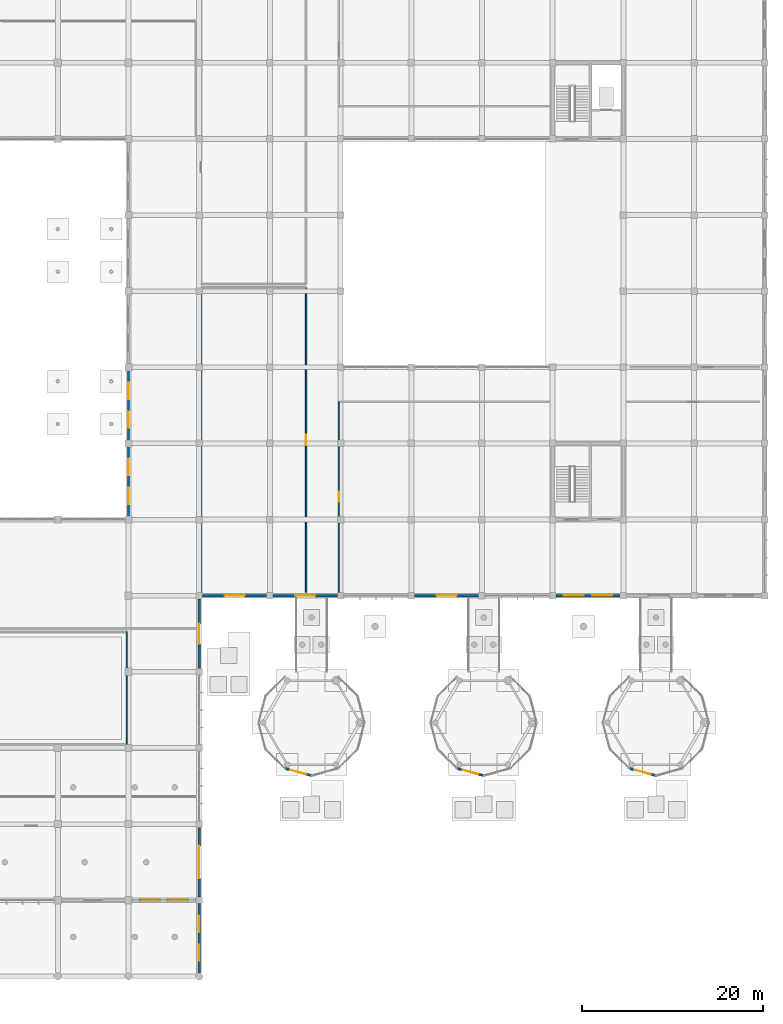
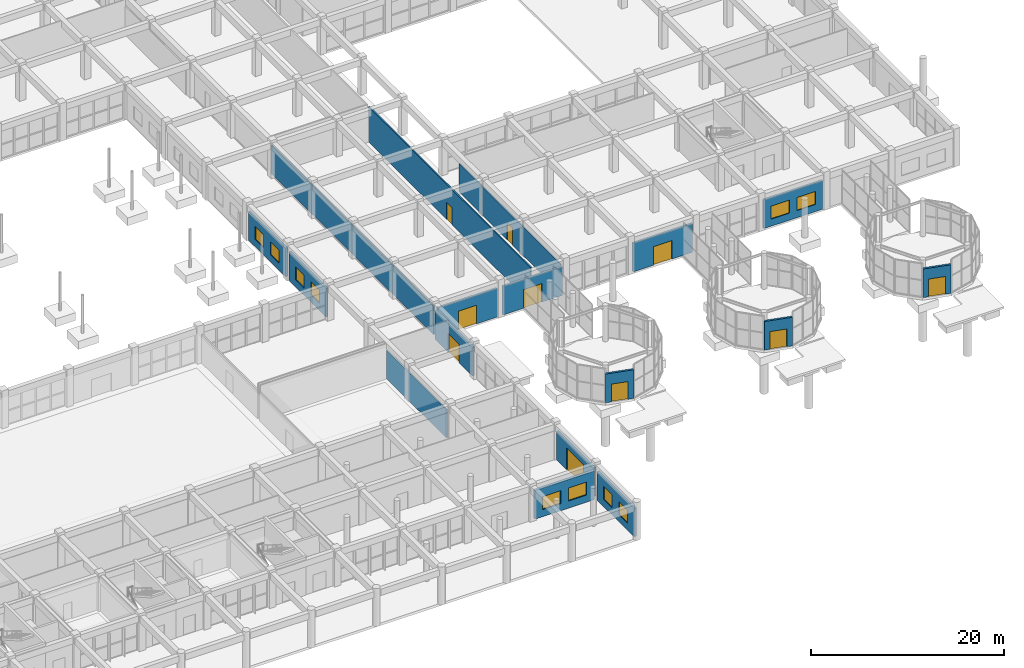
# One storey, part 128 of 139: 17 walls, 10 doors, 10 windows, 20 openings.
"""IFC4 building model written with IfcOpenShell, lengths in metres."""

import ifcopenshell
import ifcopenshell.guid

model = None  # the IFC model being written
_history = None  # IfcOwnerHistory: only IFC2X3 demands one
_inside = {}  # id of a spatial element -> (the spatial element, [elements in it])
_under = {}  # id of a project, library or spatial element -> (it, [spatial elements below it])
_declared = {}  # id of a project -> (the project, [libraries it declares])
_typed = {}  # id of a type object -> (the type object, [elements of that type])
_made_of = {}  # id of a material, layer set ... -> (it, [elements and type objects made of it])


def new_model(schema):
    """Start an empty IFC model of exactly this schema.

    Asked for "IFC4X3", IfcOpenShell would pick the latest addendum, in which some entities
    have other attributes; the version numbers below select the first issue.
    IFC2X3 requires an IfcOwnerHistory on every rooted entity: one is made here for all.
    """
    global model, _history
    if schema == "IFC4X3":
        model = ifcopenshell.file(schema_version=(4, 3, 0, 0))
    else:
        model = ifcopenshell.file(schema=schema)
    _inside.clear()
    _under.clear()
    _declared.clear()
    _typed.clear()
    _made_of.clear()
    _history = None
    if model.schema == "IFC2X3":
        org = make("IfcOrganization", Name="unknown")
        user = make(
            "IfcPersonAndOrganization",
            ThePerson=make("IfcPerson", FamilyName="unknown"),
            TheOrganization=org,
        )
        app = make(
            "IfcApplication",
            ApplicationDeveloper=org,
            Version="unknown",
            ApplicationFullName="unknown",
            ApplicationIdentifier="unknown",
        )
        _history = make(
            "IfcOwnerHistory",
            OwningUser=user,
            OwningApplication=app,
            ChangeAction="ADDED",
            CreationDate=0,
        )
    return model


def make(cls, **values):
    """One entity of the class cls with the attributes given. An attribute that is None is left unset."""
    return model.create_entity(
        cls, **{name: value for name, value in values.items() if value is not None}
    )


def rooted(cls, **values):
    """An entity with a GlobalId (a new one), such as an element, a storey or a relation."""
    return make(cls, GlobalId=ifcopenshell.guid.new(), OwnerHistory=_history, **values)


def si_unit(unit_type, name, prefix=None):
    """IfcSIUnit, for example si_unit("LENGTHUNIT", "METRE", prefix="MILLI")."""
    return make("IfcSIUnit", UnitType=unit_type, Prefix=prefix, Name=name)


def assignment(units):
    """IfcUnitAssignment: the units of a project."""
    return None if units is None else make("IfcUnitAssignment", Units=units)


def point(xyz):
    """IfcCartesianPoint."""
    return None if xyz is None else make("IfcCartesianPoint", Coordinates=xyz)


def direction(xyz):
    """IfcDirection."""
    return None if xyz is None else make("IfcDirection", DirectionRatios=xyz)


def frame(location, z_axis=None, x_axis=None):
    """IfcAxis2Placement3D, a coordinate frame: its origin and axes. An axis left out is left unset."""
    return make(
        "IfcAxis2Placement3D",
        Location=point(location),
        Axis=direction(z_axis),
        RefDirection=direction(x_axis),
    )


def frame_2d(location, x_axis=None):
    """IfcAxis2Placement2D, a coordinate frame in the plane: its origin and x axis."""
    return make(
        "IfcAxis2Placement2D", Location=point(location), RefDirection=direction(x_axis)
    )


def origin():
    """The frame at (0, 0, 0) with its axes left unset."""
    return frame((0.0, 0.0, 0.0))


def place(relative_to, where):
    """IfcLocalPlacement: puts the frame where relative to a parent placement (None: the world)."""
    return make(
        "IfcLocalPlacement", PlacementRelTo=relative_to, RelativePlacement=where
    )


def context(
    kind, dimensions, precision=None, world=None, true_north=None, identifier=None
):
    """IfcGeometricRepresentationContext, for example the 3D "Model" context."""
    return make(
        "IfcGeometricRepresentationContext",
        ContextIdentifier=identifier,
        ContextType=kind,
        CoordinateSpaceDimension=dimensions,
        Precision=precision,
        WorldCoordinateSystem=world,
        TrueNorth=true_north,
    )


def subcontext(parent, identifier, kind, view, scale=None):
    """IfcGeometricRepresentationSubContext, for example "Body" below "Model"."""
    return make(
        "IfcGeometricRepresentationSubContext",
        ContextIdentifier=identifier,
        ContextType=kind,
        ParentContext=parent,
        TargetScale=scale,
        TargetView=view,
    )


def project(units=None, contexts=None):
    """IfcProject with its units and contexts."""
    return rooted(
        "IfcProject",
        Name="project",
        RepresentationContexts=contexts,
        UnitsInContext=assignment(units),
    )


def spatial(cls, under=None, at=None, **own):
    """A site, building, storey or space (cls), placed at a placement, below another one or the project."""
    s = rooted(cls, ObjectPlacement=at, **own)
    if under is not None:
        _under.setdefault(under.id(), (under, []))[1].append(s)
    return s


def profile(cls, at=None, kind="AREA", **sizes):
    """A parametric profile (cls). Its sizes go by their IFC names, for example OverallWidth=200.0."""
    return make(cls, ProfileType=kind, Position=at, **sizes)


def rectangle(**sizes):
    """IfcRectangleProfileDef."""
    return profile("IfcRectangleProfileDef", **sizes)


def extrude(swept, where, along, depth):
    """IfcExtrudedAreaSolid: the profile swept, set in the frame where, extruded along a direction by depth."""
    return make(
        "IfcExtrudedAreaSolid",
        SweptArea=swept,
        Position=where,
        ExtrudedDirection=direction(along),
        Depth=depth,
    )


def shape(context_of_items, identifier, shape_type, items):
    """IfcShapeRepresentation: the items that make up one representation, for example the "Body"."""
    return make(
        "IfcShapeRepresentation",
        ContextOfItems=context_of_items,
        RepresentationIdentifier=identifier,
        RepresentationType=shape_type,
        Items=items,
    )


def material(Name=None, Category=None):
    """IfcMaterial."""
    return make("IfcMaterial", Name=Name, Category=Category)


def layer(
    of_material, thickness, ventilated=None, Name=None, Category=None, Priority=None
):
    """IfcMaterialLayer: one layer of a wall or slab, of a material (None: an air gap)."""
    return make(
        "IfcMaterialLayer",
        Material=of_material,
        LayerThickness=thickness,
        IsVentilated=ventilated,
        Name=Name,
        Category=Category,
        Priority=Priority,
    )


def layer_set(layers, Name=None):
    """IfcMaterialLayerSet."""
    return make("IfcMaterialLayerSet", MaterialLayers=layers, LayerSetName=Name)


def made_of(thing, what):
    """Note that an element or type object is made of a material, layer set ...; save() writes the relation."""
    if what is not None:
        _made_of.setdefault(what.id(), (what, []))[1].append(thing)
    return thing


def type_object(cls, material=None, **own):
    """A type object (cls), such as IfcWallType, which elements share."""
    return made_of(rooted(cls, **own), material)


def element(
    cls,
    number,
    at=None,
    inside=None,
    cuts=None,
    type_object=None,
    material=None,
    context=None,
    identifier="Body",
    shape_type=None,
    held_by="IfcProductDefinitionShape",
    body=None,
    shapes=None,
    **own,
):
    """One element of the class cls, such as IfcWall. Its Tag is "e" and its number.

    at: its placement. inside: the storey or other place that contains it. cuts: it is an
    opening in that element (IfcRelVoidsElement). A single representation is given by context,
    identifier, shape_type and body (its items); several are given by shapes. held_by: the class
    of the entity that holds the representations. save() writes the other relations.
    """
    e = rooted(cls, Tag="e%d" % number, ObjectPlacement=at, **own)
    if body is not None:
        shapes = [shape(context, identifier, shape_type, body)]
    if shapes is not None:
        e.Representation = make(held_by, Representations=shapes)
    if inside is not None:
        _inside.setdefault(inside.id(), (inside, []))[1].append(e)
    if cuts is not None:
        rooted(
            "IfcRelVoidsElement", RelatingBuildingElement=cuts, RelatedOpeningElement=e
        )
    if type_object is not None:
        _typed.setdefault(type_object.id(), (type_object, []))[1].append(e)
    return made_of(e, material)


def fill(opening, filler):
    """IfcRelFillsElement: the door or window that sits in an opening."""
    return rooted(
        "IfcRelFillsElement",
        RelatingOpeningElement=opening,
        RelatedBuildingElement=filler,
    )


def aggregate(whole, parts):
    """IfcRelAggregates: a whole, such as a stair, and the parts it consists of."""
    return rooted("IfcRelAggregates", RelatingObject=whole, RelatedObjects=parts)


def save(model, path):
    """Write the relations noted so far, then the file.

    IfcRelAggregates (storeys below a building ...), IfcRelContainedInSpatialStructure (elements
    in a storey), IfcRelDefinesByType, IfcRelAssociatesMaterial and IfcRelDeclares: one each for
    every whole, place, type object, material and project.
    """
    for whole, parts in _under.values():
        aggregate(whole, parts)
    for where, things in _inside.values():
        rooted(
            "IfcRelContainedInSpatialStructure",
            RelatedElements=things,
            RelatingStructure=where,
        )
    for kind, things in _typed.values():
        rooted("IfcRelDefinesByType", RelatedObjects=things, RelatingType=kind)
    for what, things in _made_of.values():
        rooted("IfcRelAssociatesMaterial", RelatedObjects=things, RelatingMaterial=what)
    for by, libraries in _declared.values():
        rooted("IfcRelDeclares", RelatingContext=by, RelatedDefinitions=libraries)
    model.write(path)


model = new_model("IFC4")

# Units and contexts
model_context = context("Model", 3, precision=1e-05, world=origin(), true_north=direction((0.0, 1.0)))
body_context = subcontext(model_context, "Body", "Model", "MODEL_VIEW")
ifc_project = project(units=[si_unit("LENGTHUNIT", "METRE"), si_unit("AREAUNIT", "SQUARE_METRE"), si_unit("VOLUMEUNIT", "CUBIC_METRE"), si_unit("PLANEANGLEUNIT", "RADIAN"), si_unit("MASSUNIT", "GRAM", prefix="KILO")], contexts=[model_context])

# Site, building, storey
site_placement = place(None, origin())
site = spatial("IfcSite", under=ifc_project, at=site_placement, CompositionType="ELEMENT")
building_placement = place(site_placement, origin())
building = spatial("IfcBuilding", under=site, at=building_placement, Name="Zizhar Promenade General Hospital", CompositionType="ELEMENT")
storey_placement = place(building_placement, origin())
storey = spatial("IfcBuildingStorey", under=building, at=storey_placement, Name="L00", CompositionType="ELEMENT", Elevation=0.0)

# Wall, opening, door
ifc_material_1 = material(Name="Precast concrete C40/50", Category="concrete")
ifc_layer_1 = layer(ifc_material_1, 0.235107421875)
ifc_layer_set_1 = layer_set([ifc_layer_1], Name="Precast concrete C40/50")
wall_type_1 = type_object("IfcWallType", Name="EW-CLN-235", PredefinedType="STANDARD", material=ifc_layer_set_1)
wall_1_placement = place(storey_placement, frame((140.06005859375, 42.0, 0.0), z_axis=(0.0, 0.0, 1.0), x_axis=(-1.0, 0.0, 0.0)))
wall_1 = element("IfcWall", 1, at=wall_1_placement, inside=storey, type_object=wall_type_1, Name="Outpatient Forecourt South Wall L00-17", PredefinedType="STANDARD", context=body_context, shape_type="SweptSolid", body=[
    extrude(rectangle(XDim=7.1201171875, YDim=0.235107421875, at=frame_2d((3.56005859375, 0.0))), origin(), (0.0, 0.0, 1.0), 3.6298828125),
])
opening_1_placement = place(wall_1_placement, frame((2.4599609375, 0.0, 0.0)))
opening_1 = element("IfcOpeningElement", 2, at=opening_1_placement, cuts=wall_1, Name="Opening ED-01", PredefinedType="OPENING", context=body_context, shape_type="SweptSolid", body=[
    extrude(rectangle(XDim=2.199951171875, YDim=2.35009765625, at=frame_2d((1.10009765625, 1.175048828125))), frame((0.0, 0.12744140625, 0.0), z_axis=(0.0, -1.0, 0.0), x_axis=(1.0, 0.0, 0.0)), (0.0, 0.0, 1.0), 0.255126953125),
])
ifc_material_2 = material(Name="Anodised aluminium 6063-T6 and laminated safety glass", Category="aluminium")
door_type_1 = type_object("IfcDoorType", Name="DR-EXT-MAIN-220x235", OperationType="DOUBLE_DOOR_SINGLE_SWING", PredefinedType="DOOR", material=ifc_material_2)
door_1_placement = place(opening_1_placement, origin())
door_1 = element("IfcDoor", 3, at=door_1_placement, inside=storey, type_object=door_type_1, Name="Outpatient Forecourt Main Entrance", OperationType="DOUBLE_DOOR_SINGLE_SWING", OverallHeight=2.35009765625, OverallWidth=2.199951171875, PredefinedType="DOOR", context=body_context, shape_type="SweptSolid", body=[
    extrude(rectangle(XDim=2.199951171875, YDim=2.35009765625, at=frame_2d((1.10009765625, 1.175048828125))), frame((0.0, 0.02490234375, 0.0), z_axis=(0.0, -1.0, 0.0), x_axis=(1.0, 0.0, 0.0)), (0.0, 0.0, 1.0), 0.050048828125),
])
fill(opening_1, door_1)

wall_2_placement = place(storey_placement, frame((147.860107421875, 42.0, 0.0), z_axis=(0.0, 0.0, 1.0), x_axis=(-1.0, 0.0, 0.0)))
wall_2 = element("IfcWall", 4, at=wall_2_placement, inside=storey, type_object=wall_type_1, Name="Outpatient Pavilion Link Portal Wall 18", PredefinedType="STANDARD", context=body_context, shape_type="SweptSolid", body=[
    extrude(rectangle(XDim=7.1201171875, YDim=0.235107421875, at=frame_2d((3.56005859375, 0.0))), origin(), (0.0, 0.0, 1.0), 3.6298828125),
])
opening_2_placement = place(wall_2_placement, frame((2.4599609375, 0.0, 0.0)))
opening_2 = element("IfcOpeningElement", 5, at=opening_2_placement, cuts=wall_2, Name="Opening ED-01", PredefinedType="OPENING", context=body_context, shape_type="SweptSolid", body=[
    extrude(rectangle(XDim=2.199951171875, YDim=2.35009765625, at=frame_2d((1.10009765625, 1.175048828125))), frame((0.0, 0.12744140625, 0.0), z_axis=(0.0, -1.0, 0.0), x_axis=(1.0, 0.0, 0.0)), (0.0, 0.0, 1.0), 0.255126953125),
])
door_2_placement = place(opening_2_placement, origin())
door_2 = element("IfcDoor", 6, at=door_2_placement, inside=storey, type_object=door_type_1, Name="Pavilion Link Forecourt Portal 18", OperationType="DOUBLE_DOOR_SINGLE_SWING", OverallHeight=2.35009765625, OverallWidth=2.199951171875, PredefinedType="DOOR", context=body_context, shape_type="SweptSolid", body=[
    extrude(rectangle(XDim=2.199951171875, YDim=2.35009765625, at=frame_2d((1.10009765625, 1.175048828125))), frame((0.0, 0.02490234375, 0.0), z_axis=(0.0, -1.0, 0.0), x_axis=(1.0, 0.0, 0.0)), (0.0, 0.0, 1.0), 0.050048828125),
])
fill(opening_2, door_2)

wall_3_placement = place(storey_placement, frame((163.4599609375, 42.0, 0.0), z_axis=(0.0, 0.0, 1.0), x_axis=(-1.0, 0.0, 0.0)))
wall_3 = element("IfcWall", 7, at=wall_3_placement, inside=storey, type_object=wall_type_1, Name="Outpatient Pavilion Link Portal Wall 20", PredefinedType="STANDARD", context=body_context, shape_type="SweptSolid", body=[
    extrude(rectangle(XDim=7.119873046875, YDim=0.235107421875, at=frame_2d((3.56005859375, 0.0))), origin(), (0.0, 0.0, 1.0), 3.6298828125),
])
opening_3_placement = place(wall_3_placement, frame((2.4599609375, 0.0, 0.0)))
opening_3 = element("IfcOpeningElement", 8, at=opening_3_placement, cuts=wall_3, Name="Opening ED-01", PredefinedType="OPENING", context=body_context, shape_type="SweptSolid", body=[
    extrude(rectangle(XDim=2.199951171875, YDim=2.35009765625, at=frame_2d((1.10009765625, 1.175048828125))), frame((0.0, 0.12744140625, 0.0), z_axis=(0.0, -1.0, 0.0), x_axis=(1.0, 0.0, 0.0)), (0.0, 0.0, 1.0), 0.255126953125),
])
door_3_placement = place(opening_3_placement, origin())
door_3 = element("IfcDoor", 9, at=door_3_placement, inside=storey, type_object=door_type_1, Name="Pavilion Link Forecourt Portal 20", OperationType="DOUBLE_DOOR_SINGLE_SWING", OverallHeight=2.35009765625, OverallWidth=2.199951171875, PredefinedType="DOOR", context=body_context, shape_type="SweptSolid", body=[
    extrude(rectangle(XDim=2.199951171875, YDim=2.35009765625, at=frame_2d((1.10009765625, 1.175048828125))), frame((0.0, 0.02490234375, 0.0), z_axis=(0.0, -1.0, 0.0), x_axis=(1.0, 0.0, 0.0)), (0.0, 0.0, 1.0), 0.050048828125),
])
fill(opening_3, door_3)

# Wall, openings, windows
wall_4_placement = place(storey_placement, frame((179.06005859375, 42.0, 0.0), z_axis=(0.0, 0.0, 1.0), x_axis=(-1.0, 0.0, 0.0)))
wall_4 = element("IfcWall", 10, at=wall_4_placement, inside=storey, type_object=wall_type_1, Name="Outpatient Forecourt South Wall L00-22", PredefinedType="STANDARD", context=body_context, shape_type="SweptSolid", body=[
    extrude(rectangle(XDim=7.1201171875, YDim=0.235107421875, at=frame_2d((3.56005859375, 0.0))), origin(), (0.0, 0.0, 1.0), 3.6298828125),
])
opening_4_placement = place(wall_4_placement, frame((0.90673828125, 0.0, 0.89990234375)))
opening_4 = element("IfcOpeningElement", 11, at=opening_4_placement, cuts=wall_4, Name="Opening W-07", PredefinedType="OPENING", context=body_context, shape_type="SweptSolid", body=[
    extrude(rectangle(XDim=2.199951171875, YDim=1.64990234375, at=frame_2d((1.10009765625, 0.824951171875))), frame((0.0, 0.12744140625, 0.0), z_axis=(0.0, -1.0, 0.0), x_axis=(1.0, 0.0, 0.0)), (0.0, 0.0, 1.0), 0.255126953125),
])
opening_5_placement = place(wall_4_placement, frame((4.01318359375, 0.0, 0.89990234375)))
opening_5 = element("IfcOpeningElement", 12, at=opening_5_placement, cuts=wall_4, Name="Opening W-07", PredefinedType="OPENING", context=body_context, shape_type="SweptSolid", body=[
    extrude(rectangle(XDim=2.199951171875, YDim=1.64990234375, at=frame_2d((1.10009765625, 0.824951171875))), frame((0.0, 0.12744140625, 0.0), z_axis=(0.0, -1.0, 0.0), x_axis=(1.0, 0.0, 0.0)), (0.0, 0.0, 1.0), 0.255126953125),
])
ifc_material_3 = material(Name="Anodised aluminium 6063-T6 and low-E glass", Category="aluminium")
window_type_1 = type_object("IfcWindowType", Name="WIN-CLN-220x165", PartitioningType="DOUBLE_PANEL_VERTICAL", PredefinedType="WINDOW", material=ifc_material_3)
window_1_placement = place(opening_4_placement, origin())
window_1 = element("IfcWindow", 13, at=window_1_placement, inside=storey, type_object=window_type_1, Name="Outpatient Forecourt South Wall L00-22 Window 1", OverallHeight=1.64990234375, OverallWidth=2.199951171875, PartitioningType="SINGLE_PANEL", PredefinedType="WINDOW", context=body_context, shape_type="SweptSolid", body=[
    extrude(rectangle(XDim=2.199951171875, YDim=1.64990234375, at=frame_2d((1.10009765625, 0.824951171875))), frame((0.0, 0.030029296875, 0.0), z_axis=(0.0, -1.0, 0.0), x_axis=(1.0, 0.0, 0.0)), (0.0, 0.0, 1.0), 0.06005859375),
])
fill(opening_4, window_1)
window_2_placement = place(opening_5_placement, origin())
window_2 = element("IfcWindow", 14, at=window_2_placement, inside=storey, type_object=window_type_1, Name="Outpatient Forecourt South Wall L00-22 Window 2", OverallHeight=1.64990234375, OverallWidth=2.199951171875, PartitioningType="SINGLE_PANEL", PredefinedType="WINDOW", context=body_context, shape_type="SweptSolid", body=[
    extrude(rectangle(XDim=2.199951171875, YDim=1.64990234375, at=frame_2d((1.10009765625, 0.824951171875))), frame((0.0, 0.030029296875, 0.0), z_axis=(0.0, -1.0, 0.0), x_axis=(1.0, 0.0, 0.0)), (0.0, 0.0, 1.0), 0.06005859375),
])
fill(opening_5, window_2)

# Wall, opening, door
ifc_material_4 = material(Name="Precast concrete C40/50", Category="concrete")
ifc_layer_2 = layer(ifc_material_4, 0.2451171875)
ifc_layer_set_2 = layer_set([ifc_layer_2], Name="Precast concrete C40/50")
wall_type_2 = type_object("IfcWallType", Name="EW-PC-245", PredefinedType="STANDARD", material=ifc_layer_set_2)
wall_5_placement = place(storey_placement, frame((145.0, 22.14990234375, 0.0), z_axis=(0.0, 0.0, 1.0), x_axis=(-0.965911701678, 0.258871753116, 0.0)))
wall_5 = element("IfcWall", 15, at=wall_5_placement, inside=storey, type_object=wall_type_2, Name="Outpatient Welcome Pavilion Entrance Wall", PredefinedType="STANDARD", context=body_context, shape_type="SweptSolid", body=[
    extrude(rectangle(XDim=3.0283203125, YDim=0.2451171875, at=frame_2d((1.51416015625, 0.0))), origin(), (0.0, 0.0, 1.0), 3.6298828125),
])
opening_6_placement = place(wall_5_placement, frame((0.614013671875, 0.0, 0.0)))
opening_6 = element("IfcOpeningElement", 16, at=opening_6_placement, cuts=wall_5, Name="Opening ED-04", PredefinedType="OPENING", context=body_context, shape_type="SweptSolid", body=[
    extrude(rectangle(XDim=1.800048828125, YDim=2.25, at=frame_2d((0.89990234375, 1.125))), frame((0.0, 0.132568359375, 0.0), z_axis=(0.0, -1.0, 0.0), x_axis=(1.0, 0.0, 0.0)), (0.0, 0.0, 1.0), 0.26513671875),
])
ifc_material_5 = material(Name="Anodised aluminium 6063-T6 and laminated safety glass", Category="aluminium")
door_type_2 = type_object("IfcDoorType", Name="DR-EXT-PAV-180x225", OperationType="DOUBLE_DOOR_SINGLE_SWING", PredefinedType="DOOR", material=ifc_material_5)
door_4_placement = place(opening_6_placement, origin())
door_4 = element("IfcDoor", 17, at=door_4_placement, inside=storey, type_object=door_type_2, Name="Outpatient Welcome Pavilion Entrance Door", OperationType="DOUBLE_DOOR_SINGLE_SWING", OverallHeight=2.25, OverallWidth=1.800048828125, PredefinedType="DOOR", context=body_context, shape_type="SweptSolid", body=[
    extrude(rectangle(XDim=1.800048828125, YDim=2.25, at=frame_2d((0.89990234375, 1.125))), frame((0.0, 0.02490234375, 0.0), z_axis=(0.0, -1.0, 0.0), x_axis=(1.0, 0.0, 0.0)), (0.0, 0.0, 1.0), 0.050048828125),
])
fill(opening_6, door_4)

wall_6_placement = place(storey_placement, frame((164.0, 22.14990234375, 0.0), z_axis=(0.0, 0.0, 1.0), x_axis=(-0.965911701678, 0.258871753116, 0.0)))
wall_6 = element("IfcWall", 18, at=wall_6_placement, inside=storey, type_object=wall_type_2, Name="Pharmacy Collection Pavilion Entrance Wall", PredefinedType="STANDARD", context=body_context, shape_type="SweptSolid", body=[
    extrude(rectangle(XDim=3.0283203125, YDim=0.2451171875, at=frame_2d((1.51416015625, 0.0))), origin(), (0.0, 0.0, 1.0), 3.6298828125),
])
opening_7_placement = place(wall_6_placement, frame((0.614013671875, 0.0, 0.0)))
opening_7 = element("IfcOpeningElement", 19, at=opening_7_placement, cuts=wall_6, Name="Opening ED-04", PredefinedType="OPENING", context=body_context, shape_type="SweptSolid", body=[
    extrude(rectangle(XDim=1.800048828125, YDim=2.25, at=frame_2d((0.89990234375, 1.125))), frame((0.0, 0.132568359375, 0.0), z_axis=(0.0, -1.0, 0.0), x_axis=(1.0, 0.0, 0.0)), (0.0, 0.0, 1.0), 0.26513671875),
])
door_5_placement = place(opening_7_placement, origin())
door_5 = element("IfcDoor", 20, at=door_5_placement, inside=storey, type_object=door_type_2, Name="Pharmacy Collection Pavilion Entrance Door", OperationType="DOUBLE_DOOR_SINGLE_SWING", OverallHeight=2.25, OverallWidth=1.800048828125, PredefinedType="DOOR", context=body_context, shape_type="SweptSolid", body=[
    extrude(rectangle(XDim=1.800048828125, YDim=2.25, at=frame_2d((0.89990234375, 1.125))), frame((0.0, 0.02490234375, 0.0), z_axis=(0.0, -1.0, 0.0), x_axis=(1.0, 0.0, 0.0)), (0.0, 0.0, 1.0), 0.050048828125),
])
fill(opening_7, door_5)

wall_7_placement = place(storey_placement, frame((183.0, 22.14990234375, 0.0), z_axis=(0.0, 0.0, 1.0), x_axis=(-0.965911701678, 0.258871753116, 0.0)))
wall_7 = element("IfcWall", 21, at=wall_7_placement, inside=storey, type_object=wall_type_2, Name="Community Health Information Pavilion Entrance Wall", PredefinedType="STANDARD", context=body_context, shape_type="SweptSolid", body=[
    extrude(rectangle(XDim=3.0283203125, YDim=0.2451171875, at=frame_2d((1.51416015625, 0.0))), origin(), (0.0, 0.0, 1.0), 3.6298828125),
])
opening_8_placement = place(wall_7_placement, frame((0.614013671875, 0.0, 0.0)))
opening_8 = element("IfcOpeningElement", 22, at=opening_8_placement, cuts=wall_7, Name="Opening ED-04", PredefinedType="OPENING", context=body_context, shape_type="SweptSolid", body=[
    extrude(rectangle(XDim=1.800048828125, YDim=2.25, at=frame_2d((0.89990234375, 1.125))), frame((0.0, 0.132568359375, 0.0), z_axis=(0.0, -1.0, 0.0), x_axis=(1.0, 0.0, 0.0)), (0.0, 0.0, 1.0), 0.26513671875),
])
door_6_placement = place(opening_8_placement, origin())
door_6 = element("IfcDoor", 23, at=door_6_placement, inside=storey, type_object=door_type_2, Name="Community Health Information Pavilion Entrance Door", OperationType="DOUBLE_DOOR_SINGLE_SWING", OverallHeight=2.25, OverallWidth=1.800048828125, PredefinedType="DOOR", context=body_context, shape_type="SweptSolid", body=[
    extrude(rectangle(XDim=1.800048828125, YDim=2.25, at=frame_2d((0.89990234375, 1.125))), frame((0.0, 0.02490234375, 0.0), z_axis=(0.0, -1.0, 0.0), x_axis=(1.0, 0.0, 0.0)), (0.0, 0.0, 1.0), 0.050048828125),
])
fill(opening_8, door_6)

# Wall, openings, windows
ifc_material_6 = material(Name="Precast concrete C40/50", Category="concrete")
ifc_layer_3 = layer(ifc_material_6, 0.260009765625)
ifc_layer_set_3 = layer_set([ifc_layer_3], Name="Precast concrete C40/50")
wall_type_3 = type_object("IfcWallType", Name="EW-PC-260", PredefinedType="STANDARD", material=ifc_layer_set_3)
wall_8_placement = place(storey_placement, frame((124.800048828125, 58.4599609375, 0.0), z_axis=(0.0, 0.0, 1.0), x_axis=(0.0, -1.0, 0.0)))
wall_8 = element("IfcWall", 24, at=wall_8_placement, inside=storey, type_object=wall_type_3, Name="Garden Court East Wall L00-6", PredefinedType="STANDARD", context=body_context, shape_type="SweptSolid", body=[
    extrude(rectangle(XDim=7.719970703125, YDim=0.260009765625, at=frame_2d((3.85986328125, 0.0))), origin(), (0.0, 0.0, 1.0), 3.614990234375),
])
opening_9_placement = place(wall_8_placement, frame((1.373291015625, 0.0, 0.89990234375)))
opening_9 = element("IfcOpeningElement", 25, at=opening_9_placement, cuts=wall_8, Name="Opening W-08", PredefinedType="OPENING", context=body_context, shape_type="SweptSolid", body=[
    extrude(rectangle(XDim=1.800048828125, YDim=1.64990234375, at=frame_2d((0.89990234375, 0.824951171875))), frame((0.0, 0.14013671875, 0.0), z_axis=(0.0, -1.0, 0.0), x_axis=(1.0, 0.0, 0.0)), (0.0, 0.0, 1.0), 0.280029296875),
])
opening_10_placement = place(wall_8_placement, frame((4.546630859375, 0.0, 0.89990234375)))
opening_10 = element("IfcOpeningElement", 26, at=opening_10_placement, cuts=wall_8, Name="Opening W-08", PredefinedType="OPENING", context=body_context, shape_type="SweptSolid", body=[
    extrude(rectangle(XDim=1.800048828125, YDim=1.64990234375, at=frame_2d((0.89990234375, 0.824951171875))), frame((0.0, 0.14013671875, 0.0), z_axis=(0.0, -1.0, 0.0), x_axis=(1.0, 0.0, 0.0)), (0.0, 0.0, 1.0), 0.280029296875),
])
ifc_material_7 = material(Name="Anodised aluminium 6063-T6 and low-E glass", Category="aluminium")
window_type_2 = type_object("IfcWindowType", Name="WIN-CLN-180x165", PartitioningType="DOUBLE_PANEL_VERTICAL", PredefinedType="WINDOW", material=ifc_material_7)
window_3_placement = place(opening_9_placement, origin())
window_3 = element("IfcWindow", 27, at=window_3_placement, inside=storey, type_object=window_type_2, Name="Garden Court East Wall L00-6 Window 1", OverallHeight=1.64990234375, OverallWidth=1.800048828125, PartitioningType="SINGLE_PANEL", PredefinedType="WINDOW", context=body_context, shape_type="SweptSolid", body=[
    extrude(rectangle(XDim=1.800048828125, YDim=1.64990234375, at=frame_2d((0.89990234375, 0.824951171875))), frame((0.0, 0.030029296875, 0.0), z_axis=(0.0, -1.0, 0.0), x_axis=(1.0, 0.0, 0.0)), (0.0, 0.0, 1.0), 0.06005859375),
])
fill(opening_9, window_3)
window_4_placement = place(opening_10_placement, origin())
window_4 = element("IfcWindow", 28, at=window_4_placement, inside=storey, type_object=window_type_2, Name="Garden Court East Wall L00-6 Window 2", OverallHeight=1.64990234375, OverallWidth=1.800048828125, PartitioningType="SINGLE_PANEL", PredefinedType="WINDOW", context=body_context, shape_type="SweptSolid", body=[
    extrude(rectangle(XDim=1.800048828125, YDim=1.64990234375, at=frame_2d((0.89990234375, 0.824951171875))), frame((0.0, 0.030029296875, 0.0), z_axis=(0.0, -1.0, 0.0), x_axis=(1.0, 0.0, 0.0)), (0.0, 0.0, 1.0), 0.06005859375),
])
fill(opening_10, window_4)

wall_9_placement = place(storey_placement, frame((124.800048828125, 66.860107421875, 0.0), z_axis=(0.0, 0.0, 1.0), x_axis=(0.0, -1.0, 0.0)))
wall_9 = element("IfcWall", 29, at=wall_9_placement, inside=storey, type_object=wall_type_3, Name="Garden Court East Wall L00-7", PredefinedType="STANDARD", context=body_context, shape_type="SweptSolid", body=[
    extrude(rectangle(XDim=7.72021484375, YDim=0.260009765625, at=frame_2d((3.860107421875, 0.0))), origin(), (0.0, 0.0, 1.0), 3.614990234375),
])
opening_11_placement = place(wall_9_placement, frame((1.373291015625, 0.0, 0.89990234375)))
opening_11 = element("IfcOpeningElement", 30, at=opening_11_placement, cuts=wall_9, Name="Opening W-08", PredefinedType="OPENING", context=body_context, shape_type="SweptSolid", body=[
    extrude(rectangle(XDim=1.800048828125, YDim=1.64990234375, at=frame_2d((0.89990234375, 0.824951171875))), frame((0.0, 0.14013671875, 0.0), z_axis=(0.0, -1.0, 0.0), x_axis=(1.0, 0.0, 0.0)), (0.0, 0.0, 1.0), 0.280029296875),
])
opening_12_placement = place(wall_9_placement, frame((4.546630859375, 0.0, 0.89990234375)))
opening_12 = element("IfcOpeningElement", 31, at=opening_12_placement, cuts=wall_9, Name="Opening W-08", PredefinedType="OPENING", context=body_context, shape_type="SweptSolid", body=[
    extrude(rectangle(XDim=1.800048828125, YDim=1.64990234375, at=frame_2d((0.89990234375, 0.824951171875))), frame((0.0, 0.14013671875, 0.0), z_axis=(0.0, -1.0, 0.0), x_axis=(1.0, 0.0, 0.0)), (0.0, 0.0, 1.0), 0.280029296875),
])
window_5_placement = place(opening_11_placement, origin())
window_5 = element("IfcWindow", 32, at=window_5_placement, inside=storey, type_object=window_type_2, Name="Garden Court East Wall L00-7 Window 1", OverallHeight=1.64990234375, OverallWidth=1.800048828125, PartitioningType="SINGLE_PANEL", PredefinedType="WINDOW", context=body_context, shape_type="SweptSolid", body=[
    extrude(rectangle(XDim=1.800048828125, YDim=1.64990234375, at=frame_2d((0.89990234375, 0.824951171875))), frame((0.0, 0.030029296875, 0.0), z_axis=(0.0, -1.0, 0.0), x_axis=(1.0, 0.0, 0.0)), (0.0, 0.0, 1.0), 0.06005859375),
])
fill(opening_11, window_5)
window_6_placement = place(opening_12_placement, origin())
window_6 = element("IfcWindow", 33, at=window_6_placement, inside=storey, type_object=window_type_2, Name="Garden Court East Wall L00-7 Window 2", OverallHeight=1.64990234375, OverallWidth=1.800048828125, PartitioningType="SINGLE_PANEL", PredefinedType="WINDOW", context=body_context, shape_type="SweptSolid", body=[
    extrude(rectangle(XDim=1.800048828125, YDim=1.64990234375, at=frame_2d((0.89990234375, 0.824951171875))), frame((0.0, 0.030029296875, 0.0), z_axis=(0.0, -1.0, 0.0), x_axis=(1.0, 0.0, 0.0)), (0.0, 0.0, 1.0), 0.06005859375),
])
fill(opening_12, window_6)

ifc_material_8 = material(Name="Precast concrete C40/50", Category="concrete")
ifc_layer_4 = layer(ifc_material_8, 0.27490234375)
ifc_layer_set_4 = layer_set([ifc_layer_4], Name="Precast concrete C40/50")
wall_type_4 = type_object("IfcWallType", Name="EW-PC-275", PredefinedType="STANDARD", material=ifc_layer_set_4)
wall_10_placement = place(storey_placement, frame((132.60009765625, 8.06005859375, 0.0), z_axis=(0.0, 0.0, 1.0), x_axis=(0.0, -1.0, 0.0)))
wall_10 = element("IfcWall", 34, at=wall_10_placement, inside=storey, type_object=wall_type_4, Name="Forecourt West Wall L00-0", PredefinedType="STANDARD", context=body_context, shape_type="SweptSolid", body=[
    extrude(rectangle(XDim=7.719970703125, YDim=0.27490234375, at=frame_2d((3.85986328125, 0.0))), origin(), (0.0, 0.0, 1.0), 3.614990234375),
])
opening_13_placement = place(wall_10_placement, frame((1.373291015625, 0.0, 0.89990234375)))
opening_13 = element("IfcOpeningElement", 35, at=opening_13_placement, cuts=wall_10, Name="Opening W-08", PredefinedType="OPENING", context=body_context, shape_type="SweptSolid", body=[
    extrude(rectangle(XDim=1.800048828125, YDim=1.64990234375, at=frame_2d((0.89990234375, 0.824951171875))), frame((0.0, 0.1474609375, 0.0), z_axis=(0.0, -1.0, 0.0), x_axis=(1.0, 0.0, 0.0)), (0.0, 0.0, 1.0), 0.294921875),
])
opening_14_placement = place(wall_10_placement, frame((4.546630859375, 0.0, 0.89990234375)))
opening_14 = element("IfcOpeningElement", 36, at=opening_14_placement, cuts=wall_10, Name="Opening W-08", PredefinedType="OPENING", context=body_context, shape_type="SweptSolid", body=[
    extrude(rectangle(XDim=1.800048828125, YDim=1.64990234375, at=frame_2d((0.89990234375, 0.824951171875))), frame((0.0, 0.1474609375, 0.0), z_axis=(0.0, -1.0, 0.0), x_axis=(1.0, 0.0, 0.0)), (0.0, 0.0, 1.0), 0.294921875),
])
window_7_placement = place(opening_13_placement, origin())
window_7 = element("IfcWindow", 37, at=window_7_placement, inside=storey, type_object=window_type_2, Name="Forecourt West Wall L00-0 Window 1", OverallHeight=1.64990234375, OverallWidth=1.800048828125, PartitioningType="SINGLE_PANEL", PredefinedType="WINDOW", context=body_context, shape_type="SweptSolid", body=[
    extrude(rectangle(XDim=1.800048828125, YDim=1.64990234375, at=frame_2d((0.89990234375, 0.824951171875))), frame((0.0, 0.030029296875, 0.0), z_axis=(0.0, -1.0, 0.0), x_axis=(1.0, 0.0, 0.0)), (0.0, 0.0, 1.0), 0.06005859375),
])
fill(opening_13, window_7)
window_8_placement = place(opening_14_placement, origin())
window_8 = element("IfcWindow", 38, at=window_8_placement, inside=storey, type_object=window_type_2, Name="Forecourt West Wall L00-0 Window 2", OverallHeight=1.64990234375, OverallWidth=1.800048828125, PartitioningType="SINGLE_PANEL", PredefinedType="WINDOW", context=body_context, shape_type="SweptSolid", body=[
    extrude(rectangle(XDim=1.800048828125, YDim=1.64990234375, at=frame_2d((0.89990234375, 0.824951171875))), frame((0.0, 0.030029296875, 0.0), z_axis=(0.0, -1.0, 0.0), x_axis=(1.0, 0.0, 0.0)), (0.0, 0.0, 1.0), 0.06005859375),
])
fill(opening_14, window_8)

# Wall, opening, door
wall_11_placement = place(storey_placement, frame((132.60009765625, 16.4599609375, 0.0), z_axis=(0.0, 0.0, 1.0), x_axis=(0.0, -1.0, 0.0)))
wall_11 = element("IfcWall", 39, at=wall_11_placement, inside=storey, type_object=wall_type_4, Name="Forecourt West Wall L00-1", PredefinedType="STANDARD", context=body_context, shape_type="SweptSolid", body=[
    extrude(rectangle(XDim=7.719970703125, YDim=0.27490234375, at=frame_2d((3.85986328125, 0.0))), origin(), (0.0, 0.0, 1.0), 3.614990234375),
])
opening_15_placement = place(wall_11_placement, frame((2.06005859375, 0.0, 0.0)))
opening_15 = element("IfcOpeningElement", 40, at=opening_15_placement, cuts=wall_11, Name="Opening VG-02", PredefinedType="OPENING", context=body_context, shape_type="SweptSolid", body=[
    extrude(rectangle(XDim=3.60009765625, YDim=2.800048828125, at=frame_2d((1.800048828125, 1.39990234375))), frame((0.0, 0.1474609375, 0.0), z_axis=(0.0, -1.0, 0.0), x_axis=(1.0, 0.0, 0.0)), (0.0, 0.0, 1.0), 0.294921875),
])
ifc_material_9 = material(Name="Galvanised Steel S355", Category="steel")
door_type_3 = type_object("IfcDoorType", Name="GT-SRV-360x280", OperationType="DOUBLE_DOOR_SINGLE_SWING", PredefinedType="GATE", material=ifc_material_9)
door_7_placement = place(opening_15_placement, origin())
door_7 = element("IfcDoor", 41, at=door_7_placement, inside=storey, type_object=door_type_3, Name="Promenade Forecourt Service Gate", OperationType="DOUBLE_DOOR_SINGLE_SWING", OverallHeight=2.800048828125, OverallWidth=3.60009765625, PredefinedType="GATE", context=body_context, shape_type="SweptSolid", body=[
    extrude(rectangle(XDim=3.60009765625, YDim=2.800048828125, at=frame_2d((1.800048828125, 1.39990234375))), frame((0.0, 0.02490234375, 0.0), z_axis=(0.0, -1.0, 0.0), x_axis=(1.0, 0.0, 0.0)), (0.0, 0.0, 1.0), 0.050048828125),
])
fill(opening_15, door_7)

wall_12_placement = place(storey_placement, frame((132.60009765625, 41.659912109375, 0.0), z_axis=(0.0, 0.0, 1.0), x_axis=(0.0, -1.0, 0.0)))
wall_12 = element("IfcWall", 42, at=wall_12_placement, inside=storey, type_object=wall_type_4, Name="Forecourt West Wall L00-4", PredefinedType="STANDARD", context=body_context, shape_type="SweptSolid", body=[
    extrude(rectangle(XDim=7.719970703125, YDim=0.27490234375, at=frame_2d((3.85986328125, 0.0))), origin(), (0.0, 0.0, 1.0), 3.614990234375),
])
opening_16_placement = place(wall_12_placement, frame((2.760009765625, 0.0, 0.0)))
opening_16 = element("IfcOpeningElement", 43, at=opening_16_placement, cuts=wall_12, Name="Opening ED-01", PredefinedType="OPENING", context=body_context, shape_type="SweptSolid", body=[
    extrude(rectangle(XDim=2.199951171875, YDim=2.35009765625, at=frame_2d((1.10009765625, 1.175048828125))), frame((0.0, 0.1474609375, 0.0), z_axis=(0.0, -1.0, 0.0), x_axis=(1.0, 0.0, 0.0)), (0.0, 0.0, 1.0), 0.294921875),
])
door_8_placement = place(opening_16_placement, origin())
door_8 = element("IfcDoor", 44, at=door_8_placement, inside=storey, type_object=door_type_1, Name="Main Arrival Hall Forecourt Entrance", OperationType="DOUBLE_DOOR_SINGLE_SWING", OverallHeight=2.35009765625, OverallWidth=2.199951171875, PredefinedType="DOOR", context=body_context, shape_type="SweptSolid", body=[
    extrude(rectangle(XDim=2.199951171875, YDim=2.35009765625, at=frame_2d((1.10009765625, 1.175048828125))), frame((0.0, 0.02490234375, 0.0), z_axis=(0.0, -1.0, 0.0), x_axis=(1.0, 0.0, 0.0)), (0.0, 0.0, 1.0), 0.050048828125),
])
fill(opening_16, door_8)

# Wall, openings, windows
ifc_material_10 = material(Name="Precast concrete C40/50", Category="concrete")
ifc_layer_5 = layer(ifc_material_10, 0.320068359375)
ifc_layer_set_5 = layer_set([ifc_layer_5], Name="Precast concrete C40/50")
wall_type_5 = type_object("IfcWallType", Name="EW-PC-320", PredefinedType="STANDARD", material=ifc_layer_set_5)
wall_13_placement = place(storey_placement, frame((132.260009765625, 8.39990234375, 0.0), z_axis=(0.0, 0.0, 1.0), x_axis=(-1.0, 0.0, 0.0)))
wall_13 = element("IfcWall", 45, at=wall_13_placement, inside=storey, type_object=wall_type_5, Name="Promenade Ground Wall Bay 15", PredefinedType="STANDARD", context=body_context, shape_type="SweptSolid", body=[
    extrude(rectangle(XDim=7.1201171875, YDim=0.320068359375, at=frame_2d((3.56005859375, 0.0))), origin(), (0.0, 0.0, 1.0), 3.6298828125),
])
opening_17_placement = place(wall_13_placement, frame((0.90673828125, 0.0, 0.89990234375)))
opening_17 = element("IfcOpeningElement", 46, at=opening_17_placement, cuts=wall_13, Name="Opening W-07", PredefinedType="OPENING", context=body_context, shape_type="SweptSolid", body=[
    extrude(rectangle(XDim=2.199951171875, YDim=1.64990234375, at=frame_2d((1.10009765625, 0.824951171875))), frame((0.0, 0.169921875, 0.0), z_axis=(0.0, -1.0, 0.0), x_axis=(1.0, 0.0, 0.0)), (0.0, 0.0, 1.0), 0.340087890625),
])
opening_18_placement = place(wall_13_placement, frame((4.01318359375, 0.0, 0.89990234375)))
opening_18 = element("IfcOpeningElement", 47, at=opening_18_placement, cuts=wall_13, Name="Opening W-07", PredefinedType="OPENING", context=body_context, shape_type="SweptSolid", body=[
    extrude(rectangle(XDim=2.199951171875, YDim=1.64990234375, at=frame_2d((1.10009765625, 0.824951171875))), frame((0.0, 0.169921875, 0.0), z_axis=(0.0, -1.0, 0.0), x_axis=(1.0, 0.0, 0.0)), (0.0, 0.0, 1.0), 0.340087890625),
])
window_9_placement = place(opening_17_placement, origin())
window_9 = element("IfcWindow", 48, at=window_9_placement, inside=storey, type_object=window_type_1, Name="Promenade Ground Wall Bay 15 Window 1", OverallHeight=1.64990234375, OverallWidth=2.199951171875, PartitioningType="SINGLE_PANEL", PredefinedType="WINDOW", context=body_context, shape_type="SweptSolid", body=[
    extrude(rectangle(XDim=2.199951171875, YDim=1.64990234375, at=frame_2d((1.10009765625, 0.824951171875))), frame((0.0, 0.030029296875, 0.0), z_axis=(0.0, -1.0, 0.0), x_axis=(1.0, 0.0, 0.0)), (0.0, 0.0, 1.0), 0.06005859375),
])
fill(opening_17, window_9)
window_10_placement = place(opening_18_placement, origin())
window_10 = element("IfcWindow", 49, at=window_10_placement, inside=storey, type_object=window_type_1, Name="Promenade Ground Wall Bay 15 Window 2", OverallHeight=1.64990234375, OverallWidth=2.199951171875, PartitioningType="SINGLE_PANEL", PredefinedType="WINDOW", context=body_context, shape_type="SweptSolid", body=[
    extrude(rectangle(XDim=2.199951171875, YDim=1.64990234375, at=frame_2d((1.10009765625, 0.824951171875))), frame((0.0, 0.030029296875, 0.0), z_axis=(0.0, -1.0, 0.0), x_axis=(1.0, 0.0, 0.0)), (0.0, 0.0, 1.0), 0.06005859375),
])
fill(opening_18, window_10)

# Walls
ifc_material_11 = material(Name="Clinical consultation partition")
ifc_layer_6 = layer(ifc_material_11, 0.14501953125)
ifc_layer_set_6 = layer_set([ifc_layer_6], Name="Clinical consultation partition")
wall_type_6 = type_object("IfcWallType", Name="IW-CLN-145", PredefinedType="PARTITIONING", material=ifc_layer_set_6)
wall_14_placement = place(storey_placement, frame((124.60009765625, 25.60009765625, 0.0), z_axis=(0.0, 0.0, 1.0), x_axis=(0.0, 1.0, 0.0)))
element("IfcWall", 50, at=wall_14_placement, inside=storey, type_object=wall_type_6, Name="Hospital Cafe and Dining Lounge E Partition", PredefinedType="PARTITIONING", context=body_context, shape_type="SweptSolid", body=[
    extrude(rectangle(XDim=12.39990234375, YDim=0.14501953125, at=frame_2d((6.199951171875, 0.0))), origin(), (0.0, 0.0, 1.0), 3.614990234375),
])
wall_15_placement = place(storey_placement, frame((132.800048828125, 42.39990234375, 0.0), z_axis=(0.0, 0.0, 1.0), x_axis=(0.0, 1.0, 0.0)))
element("IfcWall", 51, at=wall_15_placement, inside=storey, type_object=wall_type_6, Name="Outpatient Orthopaedic Clinic W Partition", PredefinedType="PARTITIONING", context=body_context, shape_type="SweptSolid", body=[
    extrude(rectangle(XDim=33.60009765625, YDim=0.14501953125, at=frame_2d((16.800048828125, 0.0))), origin(), (0.0, 0.0, 1.0), 3.614990234375),
])

# Wall, opening, door
wall_16_placement = place(storey_placement, frame((144.39990234375, 42.39990234375, 0.0), z_axis=(0.0, 0.0, 1.0), x_axis=(0.0, 1.0, 0.0)))
wall_16 = element("IfcWall", 52, at=wall_16_placement, inside=storey, type_object=wall_type_6, Name="Outpatient Orthopaedic Clinic E Partition", PredefinedType="PARTITIONING", context=body_context, shape_type="SweptSolid", body=[
    extrude(rectangle(XDim=33.60009765625, YDim=0.14501953125, at=frame_2d((16.800048828125, 0.0))), origin(), (0.0, 0.0, 1.0), 4.4599609375),
])
opening_19_placement = place(wall_16_placement, frame((16.22509765625, 0.0, 0.0)))
opening_19 = element("IfcOpeningElement", 53, at=opening_19_placement, cuts=wall_16, Name="Opening D-15", PredefinedType="OPENING", context=body_context, shape_type="SweptSolid", body=[
    extrude(rectangle(XDim=1.14990234375, YDim=2.14990234375, at=frame_2d((0.574951171875, 1.074951171875))), frame((0.0, 0.08251953125, 0.0), z_axis=(0.0, -1.0, 0.0), x_axis=(1.0, 0.0, 0.0)), (0.0, 0.0, 1.0), 0.1650390625),
])
ifc_material_12 = material(Name="Fire-rated timber treatment leaf", Category="wood")
door_type_4 = type_object("IfcDoorType", Name="DR-CLN-TREAT-115x215", OperationType="NOTDEFINED", PredefinedType="DOOR", material=ifc_material_12)
door_9_placement = place(opening_19_placement, origin())
door_9 = element("IfcDoor", 54, at=door_9_placement, inside=storey, type_object=door_type_4, Name="Outpatient Orthopaedic Clinic Door", OperationType="SINGLE_SWING_LEFT", OverallHeight=2.14990234375, OverallWidth=1.14990234375, PredefinedType="DOOR", context=body_context, shape_type="SweptSolid", body=[
    extrude(rectangle(XDim=1.14990234375, YDim=2.14990234375, at=frame_2d((0.574951171875, 1.074951171875))), frame((0.0, 0.02490234375, 0.0), z_axis=(0.0, -1.0, 0.0), x_axis=(1.0, 0.0, 0.0)), (0.0, 0.0, 1.0), 0.050048828125),
])
fill(opening_19, door_9)

wall_17_placement = place(storey_placement, frame((148.0, 42.39990234375, 0.0), z_axis=(0.0, 0.0, 1.0), x_axis=(0.0, 1.0, 0.0)))
wall_17 = element("IfcWall", 55, at=wall_17_placement, inside=storey, type_object=wall_type_6, Name="Rehabilitation Physiotherapy Gym W Partition", PredefinedType="PARTITIONING", context=body_context, shape_type="SweptSolid", body=[
    extrude(rectangle(XDim=21.0, YDim=0.14501953125, at=frame_2d((10.5, 0.0))), origin(), (0.0, 0.0, 1.0), 3.614990234375),
])
opening_20_placement = place(wall_17_placement, frame((9.949951171875, 0.0, 0.0)))
opening_20 = element("IfcOpeningElement", 56, at=opening_20_placement, cuts=wall_17, Name="Opening D-14", PredefinedType="OPENING", context=body_context, shape_type="SweptSolid", body=[
    extrude(rectangle(XDim=1.10009765625, YDim=2.14990234375, at=frame_2d((0.550048828125, 1.074951171875))), frame((0.0, 0.08251953125, 0.0), z_axis=(0.0, -1.0, 0.0), x_axis=(1.0, 0.0, 0.0)), (0.0, 0.0, 1.0), 0.1650390625),
])
ifc_material_13 = material(Name="Fire-rated timber consultation leaf", Category="wood")
door_type_5 = type_object("IfcDoorType", Name="DR-CLN-CONS-110x215", OperationType="NOTDEFINED", PredefinedType="DOOR", material=ifc_material_13)
door_10_placement = place(opening_20_placement, origin())
door_10 = element("IfcDoor", 57, at=door_10_placement, inside=storey, type_object=door_type_5, Name="Rehabilitation Physiotherapy Gym Door", OperationType="SINGLE_SWING_LEFT", OverallHeight=2.14990234375, OverallWidth=1.10009765625, PredefinedType="DOOR", context=body_context, shape_type="SweptSolid", body=[
    extrude(rectangle(XDim=1.10009765625, YDim=2.14990234375, at=frame_2d((0.550048828125, 1.074951171875))), frame((0.0, 0.02490234375, 0.0), z_axis=(0.0, -1.0, 0.0), x_axis=(1.0, 0.0, 0.0)), (0.0, 0.0, 1.0), 0.050048828125),
])
fill(opening_20, door_10)

save(model, "model.ifc")
